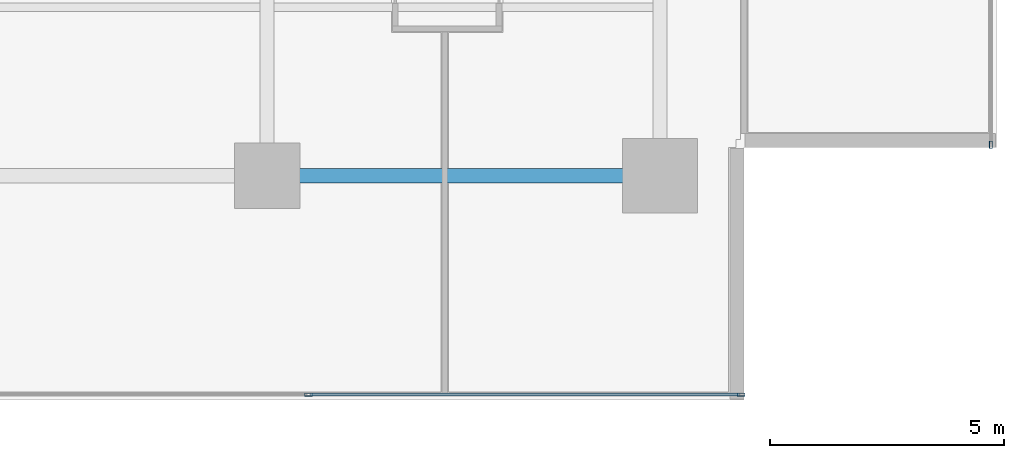
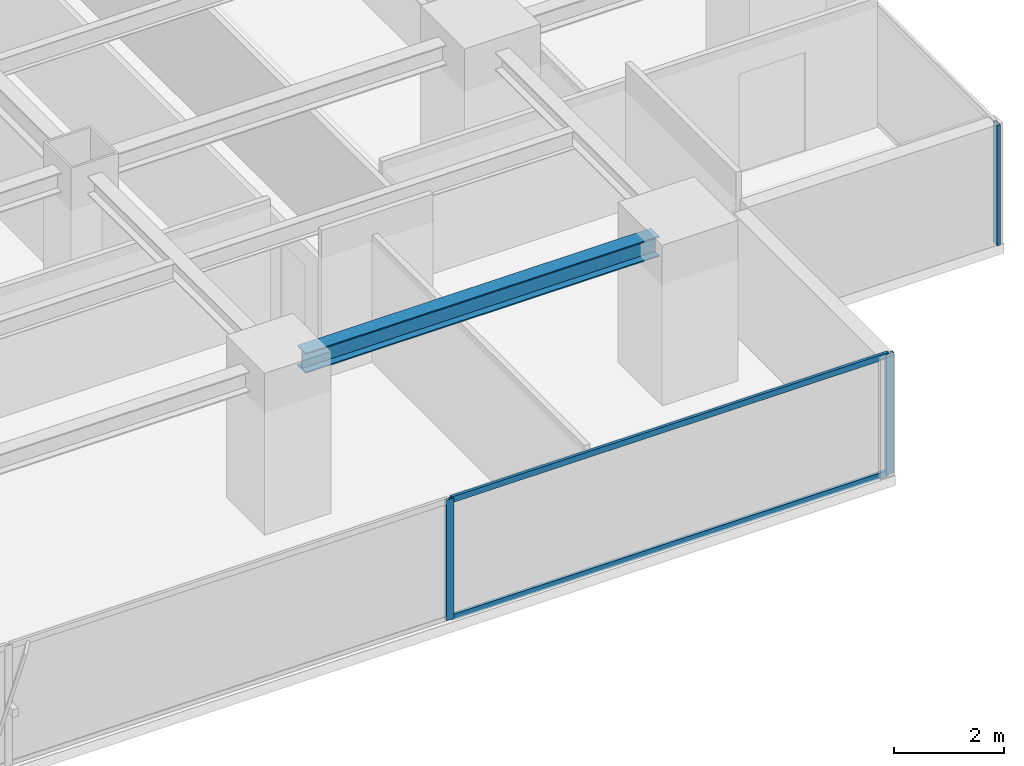
# One storey, part 9 of 28: 5 members, 1 beam, 2 elements without a shape of their own.
"""IFC4 building model written with IfcOpenShell, lengths in metres."""

from ifc_helpers import new_model, si_unit, direction, frame, origin, origin_2d, place, context, subcontext, project, spatial, hollow_rectangle, i_section, extrude, source, transform, mapped, material, layer, layer_set, material_profile, profile_set, type_object, element, aggregate, save


model = new_model("IFC4")

# Units and contexts
model_context = context("Model", 3, precision=1e-05, world=origin(), true_north=direction((0.0, 1.0)))
body_context = subcontext(model_context, "Body", "Model", "MODEL_VIEW")
ifc_project = project(units=[si_unit("LENGTHUNIT", "METRE"), si_unit("AREAUNIT", "SQUARE_METRE"), si_unit("VOLUMEUNIT", "CUBIC_METRE"), si_unit("PLANEANGLEUNIT", "RADIAN"), si_unit("MASSUNIT", "GRAM", prefix="KILO")], contexts=[model_context])

# Site, building, storey
site_placement = place(None, origin())
site = spatial("IfcSite", under=ifc_project, at=site_placement, CompositionType="ELEMENT")
building_placement = place(site_placement, origin())
building = spatial("IfcBuilding", under=site, at=building_placement, Name="Sumidabori Civic Tower", CompositionType="ELEMENT")
storey_placement = place(building_placement, frame((0.0, 0.0, 185.60009765625)))
storey = spatial("IfcBuildingStorey", under=building, at=storey_placement, Name="L48", CompositionType="ELEMENT", Elevation=185.60009765625)

# Beam
ifc_material_1 = material(Name="Steel SN490", Category="steel")
ifc_material_profile_1 = material_profile(ifc_material_1, i_section(OverallWidth=0.300048828125, OverallDepth=0.449951171875, WebThickness=0.013916015625, FlangeThickness=0.02587890625, at=origin_2d()), Name="HE 450 B")
ifc_profile_set_1 = profile_set([ifc_material_profile_1], Name="Steel SN490")
beam_type = type_object("IfcBeamType", Name="BM-GIRD-450", PredefinedType="BEAM", material=ifc_profile_set_1)
shared_shape_1 = source(origin(), body_context, "Body", "SweptSolid", [
    extrude(i_section(OverallWidth=0.300048828125, OverallDepth=0.449951171875, WebThickness=0.013916015625, FlangeThickness=0.02587890625, at=origin_2d()), origin(), (0.0, 0.0, 1.0), 7.440185546875),
])
beam_placement = place(storey_placement, frame((8.8798828125, -18.0, 3.074951171875), z_axis=(1.0, 0.0, 0.0), x_axis=(0.0, 1.0, 0.0)))
element("IfcBeam", 1, at=beam_placement, inside=storey, type_object=beam_type, Name="Primary Girder L48 GX-04", PredefinedType="BEAM", context=body_context, shape_type="MappedRepresentation", body=[
    mapped(shared_shape_1, transform((0.0, 0.0, 0.0), x_axis=(1.0, 0.0, 0.0), y_axis=(0.0, 1.0, 0.0), z_axis=(0.0, 0.0, 1.0), scale=1.0)),
])

# Curtain wall, members
ifc_material_2 = material(Name="Anodised Bronze Aluminium AW-6063-T6", Category="aluminium")
ifc_layer = layer(ifc_material_2, 0.179931640625, Name="Anodised Bronze Aluminium AW-6063-T6")
ifc_layer_set = layer_set([ifc_layer], Name="Anodised Bronze Aluminium AW-6063-T6")
curtain_wall_type = type_object("IfcCurtainWallType", Name="CW-SYS-3", PredefinedType="NOTDEFINED", material=ifc_layer_set)
curtain_wall_1_placement = place(storey_placement, origin())
curtain_wall_1 = element("IfcCurtainWall", 2, at=curtain_wall_1_placement, inside=storey, type_object=curtain_wall_type, Name="Curtain Wall CW:L48:R01", PredefinedType="NOTDEFINED")
ifc_material_profile_2 = material_profile(ifc_material_2, hollow_rectangle(XDim=0.06494140625, YDim=0.159912109375, WallThickness=0.0048828125, at=origin_2d()), Name="ALU MULLION 160x65")
ifc_profile_set_2 = profile_set([ifc_material_profile_2], Name="Anodised Bronze Aluminium AW-6063-T6")
member_type_1 = type_object("IfcMemberType", Name="CW-MUL-160", PredefinedType="MULLION", material=ifc_profile_set_2)
shared_shape_2 = source(origin(), body_context, "Body", "SweptSolid", [
    extrude(hollow_rectangle(XDim=0.06494140625, YDim=0.159912109375, WallThickness=0.0048828125, at=origin_2d()), origin(), (0.0, 0.0, 1.0), 2.679931640625),
])
member_1_placement = place(storey_placement, frame((9.284912109375, -22.679931640625, 0.0), z_axis=(0.0, 0.0, 1.0), x_axis=(0.0, 1.0, 0.0)))
member_1 = element("IfcMember", 3, at=member_1_placement, type_object=member_type_1, Name="CW-3 mullion 4", PredefinedType="MULLION", context=body_context, shape_type="MappedRepresentation", body=[
    mapped(shared_shape_2, transform((0.0, 0.0, 0.0), x_axis=(1.0, 0.0, 0.0), y_axis=(0.0, 1.0, 0.0), z_axis=(0.0, 0.0, 1.0), scale=1.0)),
])
member_2_placement = place(storey_placement, frame((18.53759765625, -22.679931640625, 0.0), z_axis=(0.0, 0.0, 1.0), x_axis=(0.0, 1.0, 0.0)))
member_2 = element("IfcMember", 4, at=member_2_placement, type_object=member_type_1, Name="CW-3 mullion 5", PredefinedType="MULLION", context=body_context, shape_type="MappedRepresentation", body=[
    mapped(shared_shape_2, transform((0.0, 0.0, 0.0), x_axis=(1.0, 0.0, 0.0), y_axis=(0.0, 1.0, 0.0), z_axis=(0.0, 0.0, 1.0), scale=1.0)),
])

# Curtain wall, member
curtain_wall_2_placement = place(storey_placement, origin())
curtain_wall_2 = element("IfcCurtainWall", 5, at=curtain_wall_2_placement, inside=storey, type_object=curtain_wall_type, Name="Curtain Wall CW:L48:R04", PredefinedType="NOTDEFINED")
member_3_placement = place(storey_placement, frame((23.8798828125, -17.33740234375, 0.0), z_axis=(0.0, 0.0, 1.0), x_axis=(-1.0, 0.0, 0.0)))
member_3 = element("IfcMember", 6, at=member_3_placement, type_object=member_type_1, Name="CW-3 mullion 1", PredefinedType="MULLION", context=body_context, shape_type="MappedRepresentation", body=[
    mapped(shared_shape_2, transform((0.0, 0.0, 0.0), x_axis=(1.0, 0.0, 0.0), y_axis=(0.0, 1.0, 0.0), z_axis=(0.0, 0.0, 1.0), scale=1.0)),
])
aggregate(curtain_wall_2, [member_3])

# Member
ifc_material_profile_3 = material_profile(ifc_material_2, hollow_rectangle(XDim=0.06005859375, YDim=0.1298828125, WallThickness=0.0048828125, at=origin_2d()), Name="ALU TRANSOM 130x60")
ifc_profile_set_3 = profile_set([ifc_material_profile_3], Name="Anodised Bronze Aluminium AW-6063-T6")
member_type_2 = type_object("IfcMemberType", Name="CW-TRN-130", PredefinedType="USERDEFINED", material=ifc_profile_set_3)
shared_shape_3 = source(origin(), body_context, "Body", "SweptSolid", [
    extrude(hollow_rectangle(XDim=0.06005859375, YDim=0.1298828125, WallThickness=0.0048828125, at=origin_2d()), origin(), (0.0, 0.0, 1.0), 9.1875),
])
member_4_placement = place(storey_placement, frame((9.3173828125, -22.679931640625, 0.02978515625), z_axis=(1.0, 0.0, 0.0), x_axis=(0.0, 1.0, 0.0)))
member_4 = element("IfcMember", 7, at=member_4_placement, type_object=member_type_2, Name="CW-3 transom 4.1", ObjectType="TRANSOM", PredefinedType="USERDEFINED", context=body_context, shape_type="MappedRepresentation", body=[
    mapped(shared_shape_3, transform((0.0, 0.0, 0.0), x_axis=(1.0, 0.0, 0.0), y_axis=(0.0, 1.0, 0.0), z_axis=(0.0, 0.0, 1.0), scale=1.0)),
])

member_5_placement = place(storey_placement, frame((9.3173828125, -22.679931640625, 2.64990234375), z_axis=(1.0, 0.0, 0.0), x_axis=(0.0, 1.0, 0.0)))
member_5 = element("IfcMember", 8, at=member_5_placement, type_object=member_type_2, Name="CW-3 transom 4.2", ObjectType="TRANSOM", PredefinedType="USERDEFINED", context=body_context, shape_type="MappedRepresentation", body=[
    mapped(shared_shape_3, transform((0.0, 0.0, 0.0), x_axis=(1.0, 0.0, 0.0), y_axis=(0.0, 1.0, 0.0), z_axis=(0.0, 0.0, 1.0), scale=1.0)),
])

aggregate(curtain_wall_1, [member_1, member_2, member_4, member_5])

save(model, "model.ifc")
